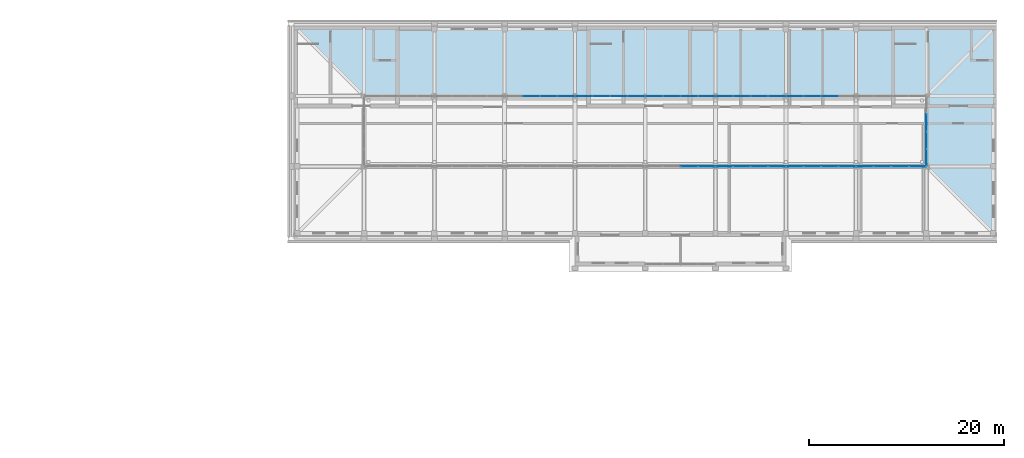
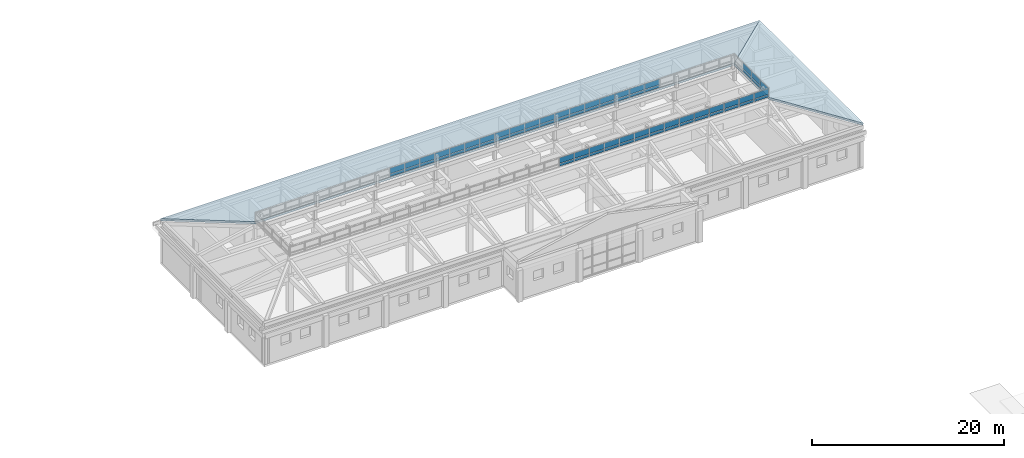
# One storey, part 28 of 48: 70 plates, 2 slabs, 3 elements without a shape of their own.
"""IFC4 building model written with IfcOpenShell, lengths in metres."""

from ifc_helpers import new_model, si_unit, direction, frame, origin, origin_2d, place, context, subcontext, project, spatial, polyline, rectangle, outline, extrude, material, layer, layer_set, type_object, element, aggregate, save


model = new_model("IFC4")

# Units and contexts
model_context = context("Model", 3, precision=1e-05, world=origin(), true_north=direction((0.0, 1.0)))
body_context = subcontext(model_context, "Body", "Model", "MODEL_VIEW")
ifc_project = project(units=[si_unit("LENGTHUNIT", "METRE"), si_unit("AREAUNIT", "SQUARE_METRE"), si_unit("VOLUMEUNIT", "CUBIC_METRE"), si_unit("PLANEANGLEUNIT", "RADIAN"), si_unit("MASSUNIT", "GRAM", prefix="KILO")], contexts=[model_context])

# Site, building, storey
site_placement = place(None, origin())
site = spatial("IfcSite", under=ifc_project, at=site_placement, CompositionType="ELEMENT")
building_placement = place(site_placement, origin())
building = spatial("IfcBuilding", under=site, at=building_placement, Name="Alderwick Market Hall", CompositionType="ELEMENT")
storey_placement = place(building_placement, frame((0.0, 0.0, 14.39990234375)))
storey = spatial("IfcBuildingStorey", under=building, at=storey_placement, Name="L02", CompositionType="ELEMENT", Elevation=14.39990234375)

# Curtain wall, plates
ifc_material_1 = material(Name="F Curtain Wall 1800 module")
curtain_wall_type = type_object("IfcCurtainWallType", Name="F Curtain Wall 1800 module", PredefinedType="NOTDEFINED", material=ifc_material_1)
curtain_wall_1_placement = place(storey_placement, origin())
curtain_wall_1 = element("IfcCurtainWall", 1, at=curtain_wall_1_placement, inside=storey, type_object=curtain_wall_type, Name="F.lantern.L02.s", PredefinedType="NOTDEFINED")
ifc_material_2 = material(Name="Laminated glass 28 mm", Category="glass")
ifc_layer_1 = layer(ifc_material_2, 0.028076171875)
ifc_layer_set_1 = layer_set([ifc_layer_1], Name="Laminated glass 28 mm")
plate_type = type_object("IfcPlateType", Name="F Curtain Wall Glass Panel 28", PredefinedType="CURTAIN_PANEL", material=ifc_layer_set_1)
plate_1_placement = place(storey_placement, frame((198.89990234375, 136.800048828125, 7.01513671875), z_axis=(0.0, 0.0, 1.0), x_axis=(1.0, 0.0, 0.0)))
plate_1 = element("IfcPlate", 2, at=plate_1_placement, type_object=plate_type, Name="F-LCW panel 19.1", PredefinedType="CURTAIN_PANEL", context=body_context, shape_type="SweptSolid", body=[
    extrude(rectangle(XDim=1.739990234375, YDim=0.028076171875, at=origin_2d()), origin(), (0.0, 0.0, 1.0), 0.31005859375),
])
plate_2_placement = place(storey_placement, frame((198.89990234375, 136.800048828125, 7.385009765625), z_axis=(0.0, 0.0, 1.0), x_axis=(1.0, 0.0, 0.0)))
plate_2 = element("IfcPlate", 3, at=plate_2_placement, type_object=plate_type, Name="F-LCW panel 19.2", PredefinedType="CURTAIN_PANEL", context=body_context, shape_type="SweptSolid", body=[
    extrude(rectangle(XDim=1.739990234375, YDim=0.028076171875, at=origin_2d()), origin(), (0.0, 0.0, 1.0), 0.7099609375),
])
plate_3_placement = place(storey_placement, frame((200.699951171875, 136.800048828125, 7.01513671875), z_axis=(0.0, 0.0, 1.0), x_axis=(1.0, 0.0, 0.0)))
plate_3 = element("IfcPlate", 4, at=plate_3_placement, type_object=plate_type, Name="F-LCW panel 20.1", PredefinedType="CURTAIN_PANEL", context=body_context, shape_type="SweptSolid", body=[
    extrude(rectangle(XDim=1.739990234375, YDim=0.028076171875, at=origin_2d()), origin(), (0.0, 0.0, 1.0), 0.31005859375),
])
plate_4_placement = place(storey_placement, frame((200.699951171875, 136.800048828125, 7.385009765625), z_axis=(0.0, 0.0, 1.0), x_axis=(1.0, 0.0, 0.0)))
plate_4 = element("IfcPlate", 5, at=plate_4_placement, type_object=plate_type, Name="F-LCW panel 20.2", PredefinedType="CURTAIN_PANEL", context=body_context, shape_type="SweptSolid", body=[
    extrude(rectangle(XDim=1.739990234375, YDim=0.028076171875, at=origin_2d()), origin(), (0.0, 0.0, 1.0), 0.7099609375),
])
plate_5_placement = place(storey_placement, frame((202.5, 136.800048828125, 7.01513671875), z_axis=(0.0, 0.0, 1.0), x_axis=(1.0, 0.0, 0.0)))
plate_5 = element("IfcPlate", 6, at=plate_5_placement, type_object=plate_type, Name="F-LCW panel 21.1", PredefinedType="CURTAIN_PANEL", context=body_context, shape_type="SweptSolid", body=[
    extrude(rectangle(XDim=1.739990234375, YDim=0.028076171875, at=origin_2d()), origin(), (0.0, 0.0, 1.0), 0.31005859375),
])
plate_6_placement = place(storey_placement, frame((202.5, 136.800048828125, 7.385009765625), z_axis=(0.0, 0.0, 1.0), x_axis=(1.0, 0.0, 0.0)))
plate_6 = element("IfcPlate", 7, at=plate_6_placement, type_object=plate_type, Name="F-LCW panel 21.2", PredefinedType="CURTAIN_PANEL", context=body_context, shape_type="SweptSolid", body=[
    extrude(rectangle(XDim=1.739990234375, YDim=0.028076171875, at=origin_2d()), origin(), (0.0, 0.0, 1.0), 0.7099609375),
])
plate_7_placement = place(storey_placement, frame((204.300048828125, 136.800048828125, 7.01513671875), z_axis=(0.0, 0.0, 1.0), x_axis=(1.0, 0.0, 0.0)))
plate_7 = element("IfcPlate", 8, at=plate_7_placement, type_object=plate_type, Name="F-LCW panel 22.1", PredefinedType="CURTAIN_PANEL", context=body_context, shape_type="SweptSolid", body=[
    extrude(rectangle(XDim=1.739990234375, YDim=0.028076171875, at=origin_2d()), origin(), (0.0, 0.0, 1.0), 0.31005859375),
])
plate_8_placement = place(storey_placement, frame((204.300048828125, 136.800048828125, 7.385009765625), z_axis=(0.0, 0.0, 1.0), x_axis=(1.0, 0.0, 0.0)))
plate_8 = element("IfcPlate", 9, at=plate_8_placement, type_object=plate_type, Name="F-LCW panel 22.2", PredefinedType="CURTAIN_PANEL", context=body_context, shape_type="SweptSolid", body=[
    extrude(rectangle(XDim=1.739990234375, YDim=0.028076171875, at=origin_2d()), origin(), (0.0, 0.0, 1.0), 0.7099609375),
])
plate_9_placement = place(storey_placement, frame((206.10009765625, 136.800048828125, 7.01513671875), z_axis=(0.0, 0.0, 1.0), x_axis=(1.0, 0.0, 0.0)))
plate_9 = element("IfcPlate", 10, at=plate_9_placement, type_object=plate_type, Name="F-LCW panel 23.1", PredefinedType="CURTAIN_PANEL", context=body_context, shape_type="SweptSolid", body=[
    extrude(rectangle(XDim=1.739990234375, YDim=0.028076171875, at=origin_2d()), origin(), (0.0, 0.0, 1.0), 0.31005859375),
])
plate_10_placement = place(storey_placement, frame((206.10009765625, 136.800048828125, 7.385009765625), z_axis=(0.0, 0.0, 1.0), x_axis=(1.0, 0.0, 0.0)))
plate_10 = element("IfcPlate", 11, at=plate_10_placement, type_object=plate_type, Name="F-LCW panel 23.2", PredefinedType="CURTAIN_PANEL", context=body_context, shape_type="SweptSolid", body=[
    extrude(rectangle(XDim=1.739990234375, YDim=0.028076171875, at=origin_2d()), origin(), (0.0, 0.0, 1.0), 0.7099609375),
])
plate_11_placement = place(storey_placement, frame((207.89990234375, 136.800048828125, 7.01513671875), z_axis=(0.0, 0.0, 1.0), x_axis=(1.0, 0.0, 0.0)))
plate_11 = element("IfcPlate", 12, at=plate_11_placement, type_object=plate_type, Name="F-LCW panel 24.1", PredefinedType="CURTAIN_PANEL", context=body_context, shape_type="SweptSolid", body=[
    extrude(rectangle(XDim=1.739990234375, YDim=0.028076171875, at=origin_2d()), origin(), (0.0, 0.0, 1.0), 0.31005859375),
])
plate_12_placement = place(storey_placement, frame((207.89990234375, 136.800048828125, 7.385009765625), z_axis=(0.0, 0.0, 1.0), x_axis=(1.0, 0.0, 0.0)))
plate_12 = element("IfcPlate", 13, at=plate_12_placement, type_object=plate_type, Name="F-LCW panel 24.2", PredefinedType="CURTAIN_PANEL", context=body_context, shape_type="SweptSolid", body=[
    extrude(rectangle(XDim=1.739990234375, YDim=0.028076171875, at=origin_2d()), origin(), (0.0, 0.0, 1.0), 0.7099609375),
])
plate_13_placement = place(storey_placement, frame((209.699951171875, 136.800048828125, 7.01513671875), z_axis=(0.0, 0.0, 1.0), x_axis=(1.0, 0.0, 0.0)))
plate_13 = element("IfcPlate", 14, at=plate_13_placement, type_object=plate_type, Name="F-LCW panel 25.1", PredefinedType="CURTAIN_PANEL", context=body_context, shape_type="SweptSolid", body=[
    extrude(rectangle(XDim=1.739990234375, YDim=0.028076171875, at=origin_2d()), origin(), (0.0, 0.0, 1.0), 0.31005859375),
])
plate_14_placement = place(storey_placement, frame((209.699951171875, 136.800048828125, 7.385009765625), z_axis=(0.0, 0.0, 1.0), x_axis=(1.0, 0.0, 0.0)))
plate_14 = element("IfcPlate", 15, at=plate_14_placement, type_object=plate_type, Name="F-LCW panel 25.2", PredefinedType="CURTAIN_PANEL", context=body_context, shape_type="SweptSolid", body=[
    extrude(rectangle(XDim=1.739990234375, YDim=0.028076171875, at=origin_2d()), origin(), (0.0, 0.0, 1.0), 0.7099609375),
])
plate_15_placement = place(storey_placement, frame((211.5, 136.800048828125, 7.01513671875), z_axis=(0.0, 0.0, 1.0), x_axis=(1.0, 0.0, 0.0)))
plate_15 = element("IfcPlate", 16, at=plate_15_placement, type_object=plate_type, Name="F-LCW panel 26.1", PredefinedType="CURTAIN_PANEL", context=body_context, shape_type="SweptSolid", body=[
    extrude(rectangle(XDim=1.739990234375, YDim=0.028076171875, at=origin_2d()), origin(), (0.0, 0.0, 1.0), 0.31005859375),
])
plate_16_placement = place(storey_placement, frame((211.5, 136.800048828125, 7.385009765625), z_axis=(0.0, 0.0, 1.0), x_axis=(1.0, 0.0, 0.0)))
plate_16 = element("IfcPlate", 17, at=plate_16_placement, type_object=plate_type, Name="F-LCW panel 26.2", PredefinedType="CURTAIN_PANEL", context=body_context, shape_type="SweptSolid", body=[
    extrude(rectangle(XDim=1.739990234375, YDim=0.028076171875, at=origin_2d()), origin(), (0.0, 0.0, 1.0), 0.7099609375),
])
plate_17_placement = place(storey_placement, frame((213.300048828125, 136.800048828125, 7.01513671875), z_axis=(0.0, 0.0, 1.0), x_axis=(1.0, 0.0, 0.0)))
plate_17 = element("IfcPlate", 18, at=plate_17_placement, type_object=plate_type, Name="F-LCW panel 27.1", PredefinedType="CURTAIN_PANEL", context=body_context, shape_type="SweptSolid", body=[
    extrude(rectangle(XDim=1.739990234375, YDim=0.028076171875, at=origin_2d()), origin(), (0.0, 0.0, 1.0), 0.31005859375),
])
plate_18_placement = place(storey_placement, frame((213.300048828125, 136.800048828125, 7.385009765625), z_axis=(0.0, 0.0, 1.0), x_axis=(1.0, 0.0, 0.0)))
plate_18 = element("IfcPlate", 19, at=plate_18_placement, type_object=plate_type, Name="F-LCW panel 27.2", PredefinedType="CURTAIN_PANEL", context=body_context, shape_type="SweptSolid", body=[
    extrude(rectangle(XDim=1.739990234375, YDim=0.028076171875, at=origin_2d()), origin(), (0.0, 0.0, 1.0), 0.7099609375),
])
plate_19_placement = place(storey_placement, frame((215.10009765625, 136.800048828125, 7.01513671875), z_axis=(0.0, 0.0, 1.0), x_axis=(1.0, 0.0, 0.0)))
plate_19 = element("IfcPlate", 20, at=plate_19_placement, type_object=plate_type, Name="F-LCW panel 28.1", PredefinedType="CURTAIN_PANEL", context=body_context, shape_type="SweptSolid", body=[
    extrude(rectangle(XDim=1.739990234375, YDim=0.028076171875, at=origin_2d()), origin(), (0.0, 0.0, 1.0), 0.31005859375),
])
plate_20_placement = place(storey_placement, frame((215.10009765625, 136.800048828125, 7.385009765625), z_axis=(0.0, 0.0, 1.0), x_axis=(1.0, 0.0, 0.0)))
plate_20 = element("IfcPlate", 21, at=plate_20_placement, type_object=plate_type, Name="F-LCW panel 28.2", PredefinedType="CURTAIN_PANEL", context=body_context, shape_type="SweptSolid", body=[
    extrude(rectangle(XDim=1.739990234375, YDim=0.028076171875, at=origin_2d()), origin(), (0.0, 0.0, 1.0), 0.7099609375),
])
plate_21_placement = place(storey_placement, frame((216.89990234375, 136.800048828125, 7.01513671875), z_axis=(0.0, 0.0, 1.0), x_axis=(1.0, 0.0, 0.0)))
plate_21 = element("IfcPlate", 22, at=plate_21_placement, type_object=plate_type, Name="F-LCW panel 29.1", PredefinedType="CURTAIN_PANEL", context=body_context, shape_type="SweptSolid", body=[
    extrude(rectangle(XDim=1.739990234375, YDim=0.028076171875, at=origin_2d()), origin(), (0.0, 0.0, 1.0), 0.31005859375),
])
plate_22_placement = place(storey_placement, frame((216.89990234375, 136.800048828125, 7.385009765625), z_axis=(0.0, 0.0, 1.0), x_axis=(1.0, 0.0, 0.0)))
plate_22 = element("IfcPlate", 23, at=plate_22_placement, type_object=plate_type, Name="F-LCW panel 29.2", PredefinedType="CURTAIN_PANEL", context=body_context, shape_type="SweptSolid", body=[
    extrude(rectangle(XDim=1.739990234375, YDim=0.028076171875, at=origin_2d()), origin(), (0.0, 0.0, 1.0), 0.7099609375),
])
plate_23_placement = place(storey_placement, frame((218.699951171875, 136.800048828125, 7.01513671875), z_axis=(0.0, 0.0, 1.0), x_axis=(1.0, 0.0, 0.0)))
plate_23 = element("IfcPlate", 24, at=plate_23_placement, type_object=plate_type, Name="F-LCW panel 30.1", PredefinedType="CURTAIN_PANEL", context=body_context, shape_type="SweptSolid", body=[
    extrude(rectangle(XDim=1.739990234375, YDim=0.028076171875, at=origin_2d()), origin(), (0.0, 0.0, 1.0), 0.31005859375),
])
plate_24_placement = place(storey_placement, frame((218.699951171875, 136.800048828125, 7.385009765625), z_axis=(0.0, 0.0, 1.0), x_axis=(1.0, 0.0, 0.0)))
plate_24 = element("IfcPlate", 25, at=plate_24_placement, type_object=plate_type, Name="F-LCW panel 30.2", PredefinedType="CURTAIN_PANEL", context=body_context, shape_type="SweptSolid", body=[
    extrude(rectangle(XDim=1.739990234375, YDim=0.028076171875, at=origin_2d()), origin(), (0.0, 0.0, 1.0), 0.7099609375),
])
plate_25_placement = place(storey_placement, frame((220.5, 136.800048828125, 7.01513671875), z_axis=(0.0, 0.0, 1.0), x_axis=(1.0, 0.0, 0.0)))
plate_25 = element("IfcPlate", 26, at=plate_25_placement, type_object=plate_type, Name="F-LCW panel 31.1", PredefinedType="CURTAIN_PANEL", context=body_context, shape_type="SweptSolid", body=[
    extrude(rectangle(XDim=1.739990234375, YDim=0.028076171875, at=origin_2d()), origin(), (0.0, 0.0, 1.0), 0.31005859375),
])
plate_26_placement = place(storey_placement, frame((220.5, 136.800048828125, 7.385009765625), z_axis=(0.0, 0.0, 1.0), x_axis=(1.0, 0.0, 0.0)))
plate_26 = element("IfcPlate", 27, at=plate_26_placement, type_object=plate_type, Name="F-LCW panel 31.2", PredefinedType="CURTAIN_PANEL", context=body_context, shape_type="SweptSolid", body=[
    extrude(rectangle(XDim=1.739990234375, YDim=0.028076171875, at=origin_2d()), origin(), (0.0, 0.0, 1.0), 0.7099609375),
])
plate_27_placement = place(storey_placement, frame((222.284912109375, 136.800048828125, 7.01513671875), z_axis=(0.0, 0.0, 1.0), x_axis=(1.0, 0.0, 0.0)))
plate_27 = element("IfcPlate", 28, at=plate_27_placement, type_object=plate_type, Name="F-LCW panel 32.1", PredefinedType="CURTAIN_PANEL", context=body_context, shape_type="SweptSolid", body=[
    extrude(rectangle(XDim=1.7099609375, YDim=0.028076171875, at=origin_2d()), origin(), (0.0, 0.0, 1.0), 0.31005859375),
])
plate_28_placement = place(storey_placement, frame((222.284912109375, 136.800048828125, 7.385009765625), z_axis=(0.0, 0.0, 1.0), x_axis=(1.0, 0.0, 0.0)))
plate_28 = element("IfcPlate", 29, at=plate_28_placement, type_object=plate_type, Name="F-LCW panel 32.2", PredefinedType="CURTAIN_PANEL", context=body_context, shape_type="SweptSolid", body=[
    extrude(rectangle(XDim=1.7099609375, YDim=0.028076171875, at=origin_2d()), origin(), (0.0, 0.0, 1.0), 0.7099609375),
])
aggregate(curtain_wall_1, [plate_1, plate_2, plate_3, plate_4, plate_5, plate_6, plate_7, plate_8, plate_9, plate_10, plate_11, plate_12, plate_13, plate_14, plate_15, plate_16, plate_17, plate_18, plate_19, plate_20, plate_21, plate_22, plate_23, plate_24, plate_25, plate_26, plate_27, plate_28])

curtain_wall_2_placement = place(storey_placement, origin())
curtain_wall_2 = element("IfcCurtainWall", 30, at=curtain_wall_2_placement, inside=storey, type_object=curtain_wall_type, Name="F.lantern.L02.n", PredefinedType="NOTDEFINED")
plate_29_placement = place(storey_placement, frame((182.699951171875, 144.0, 7.01513671875), z_axis=(0.0, 0.0, 1.0), x_axis=(1.0, 0.0, 0.0)))
plate_29 = element("IfcPlate", 31, at=plate_29_placement, type_object=plate_type, Name="F-LCW panel 10.1", PredefinedType="CURTAIN_PANEL", context=body_context, shape_type="SweptSolid", body=[
    extrude(rectangle(XDim=1.739990234375, YDim=0.028076171875, at=origin_2d()), origin(), (0.0, 0.0, 1.0), 0.31005859375),
])
plate_30_placement = place(storey_placement, frame((182.699951171875, 144.0, 7.385009765625), z_axis=(0.0, 0.0, 1.0), x_axis=(1.0, 0.0, 0.0)))
plate_30 = element("IfcPlate", 32, at=plate_30_placement, type_object=plate_type, Name="F-LCW panel 10.2", PredefinedType="CURTAIN_PANEL", context=body_context, shape_type="SweptSolid", body=[
    extrude(rectangle(XDim=1.739990234375, YDim=0.028076171875, at=origin_2d()), origin(), (0.0, 0.0, 1.0), 0.7099609375),
])
plate_31_placement = place(storey_placement, frame((184.5, 144.0, 7.01513671875), z_axis=(0.0, 0.0, 1.0), x_axis=(1.0, 0.0, 0.0)))
plate_31 = element("IfcPlate", 33, at=plate_31_placement, type_object=plate_type, Name="F-LCW panel 11.1", PredefinedType="CURTAIN_PANEL", context=body_context, shape_type="SweptSolid", body=[
    extrude(rectangle(XDim=1.739990234375, YDim=0.028076171875, at=origin_2d()), origin(), (0.0, 0.0, 1.0), 0.31005859375),
])
plate_32_placement = place(storey_placement, frame((184.5, 144.0, 7.385009765625), z_axis=(0.0, 0.0, 1.0), x_axis=(1.0, 0.0, 0.0)))
plate_32 = element("IfcPlate", 34, at=plate_32_placement, type_object=plate_type, Name="F-LCW panel 11.2", PredefinedType="CURTAIN_PANEL", context=body_context, shape_type="SweptSolid", body=[
    extrude(rectangle(XDim=1.739990234375, YDim=0.028076171875, at=origin_2d()), origin(), (0.0, 0.0, 1.0), 0.7099609375),
])
plate_33_placement = place(storey_placement, frame((186.300048828125, 144.0, 7.01513671875), z_axis=(0.0, 0.0, 1.0), x_axis=(1.0, 0.0, 0.0)))
plate_33 = element("IfcPlate", 35, at=plate_33_placement, type_object=plate_type, Name="F-LCW panel 12.1", PredefinedType="CURTAIN_PANEL", context=body_context, shape_type="SweptSolid", body=[
    extrude(rectangle(XDim=1.739990234375, YDim=0.028076171875, at=origin_2d()), origin(), (0.0, 0.0, 1.0), 0.31005859375),
])
plate_34_placement = place(storey_placement, frame((186.300048828125, 144.0, 7.385009765625), z_axis=(0.0, 0.0, 1.0), x_axis=(1.0, 0.0, 0.0)))
plate_34 = element("IfcPlate", 36, at=plate_34_placement, type_object=plate_type, Name="F-LCW panel 12.2", PredefinedType="CURTAIN_PANEL", context=body_context, shape_type="SweptSolid", body=[
    extrude(rectangle(XDim=1.739990234375, YDim=0.028076171875, at=origin_2d()), origin(), (0.0, 0.0, 1.0), 0.7099609375),
])
plate_35_placement = place(storey_placement, frame((188.10009765625, 144.0, 7.01513671875), z_axis=(0.0, 0.0, 1.0), x_axis=(1.0, 0.0, 0.0)))
plate_35 = element("IfcPlate", 37, at=plate_35_placement, type_object=plate_type, Name="F-LCW panel 13.1", PredefinedType="CURTAIN_PANEL", context=body_context, shape_type="SweptSolid", body=[
    extrude(rectangle(XDim=1.739990234375, YDim=0.028076171875, at=origin_2d()), origin(), (0.0, 0.0, 1.0), 0.31005859375),
])
plate_36_placement = place(storey_placement, frame((188.10009765625, 144.0, 7.385009765625), z_axis=(0.0, 0.0, 1.0), x_axis=(1.0, 0.0, 0.0)))
plate_36 = element("IfcPlate", 38, at=plate_36_placement, type_object=plate_type, Name="F-LCW panel 13.2", PredefinedType="CURTAIN_PANEL", context=body_context, shape_type="SweptSolid", body=[
    extrude(rectangle(XDim=1.739990234375, YDim=0.028076171875, at=origin_2d()), origin(), (0.0, 0.0, 1.0), 0.7099609375),
])
plate_37_placement = place(storey_placement, frame((189.89990234375, 144.0, 7.01513671875), z_axis=(0.0, 0.0, 1.0), x_axis=(1.0, 0.0, 0.0)))
plate_37 = element("IfcPlate", 39, at=plate_37_placement, type_object=plate_type, Name="F-LCW panel 14.1", PredefinedType="CURTAIN_PANEL", context=body_context, shape_type="SweptSolid", body=[
    extrude(rectangle(XDim=1.739990234375, YDim=0.028076171875, at=origin_2d()), origin(), (0.0, 0.0, 1.0), 0.31005859375),
])
plate_38_placement = place(storey_placement, frame((189.89990234375, 144.0, 7.385009765625), z_axis=(0.0, 0.0, 1.0), x_axis=(1.0, 0.0, 0.0)))
plate_38 = element("IfcPlate", 40, at=plate_38_placement, type_object=plate_type, Name="F-LCW panel 14.2", PredefinedType="CURTAIN_PANEL", context=body_context, shape_type="SweptSolid", body=[
    extrude(rectangle(XDim=1.739990234375, YDim=0.028076171875, at=origin_2d()), origin(), (0.0, 0.0, 1.0), 0.7099609375),
])
plate_39_placement = place(storey_placement, frame((191.699951171875, 144.0, 7.01513671875), z_axis=(0.0, 0.0, 1.0), x_axis=(1.0, 0.0, 0.0)))
plate_39 = element("IfcPlate", 41, at=plate_39_placement, type_object=plate_type, Name="F-LCW panel 15.1", PredefinedType="CURTAIN_PANEL", context=body_context, shape_type="SweptSolid", body=[
    extrude(rectangle(XDim=1.739990234375, YDim=0.028076171875, at=origin_2d()), origin(), (0.0, 0.0, 1.0), 0.31005859375),
])
plate_40_placement = place(storey_placement, frame((191.699951171875, 144.0, 7.385009765625), z_axis=(0.0, 0.0, 1.0), x_axis=(1.0, 0.0, 0.0)))
plate_40 = element("IfcPlate", 42, at=plate_40_placement, type_object=plate_type, Name="F-LCW panel 15.2", PredefinedType="CURTAIN_PANEL", context=body_context, shape_type="SweptSolid", body=[
    extrude(rectangle(XDim=1.739990234375, YDim=0.028076171875, at=origin_2d()), origin(), (0.0, 0.0, 1.0), 0.7099609375),
])
plate_41_placement = place(storey_placement, frame((193.5, 144.0, 7.01513671875), z_axis=(0.0, 0.0, 1.0), x_axis=(1.0, 0.0, 0.0)))
plate_41 = element("IfcPlate", 43, at=plate_41_placement, type_object=plate_type, Name="F-LCW panel 16.1", PredefinedType="CURTAIN_PANEL", context=body_context, shape_type="SweptSolid", body=[
    extrude(rectangle(XDim=1.739990234375, YDim=0.028076171875, at=origin_2d()), origin(), (0.0, 0.0, 1.0), 0.31005859375),
])
plate_42_placement = place(storey_placement, frame((193.5, 144.0, 7.385009765625), z_axis=(0.0, 0.0, 1.0), x_axis=(1.0, 0.0, 0.0)))
plate_42 = element("IfcPlate", 44, at=plate_42_placement, type_object=plate_type, Name="F-LCW panel 16.2", PredefinedType="CURTAIN_PANEL", context=body_context, shape_type="SweptSolid", body=[
    extrude(rectangle(XDim=1.739990234375, YDim=0.028076171875, at=origin_2d()), origin(), (0.0, 0.0, 1.0), 0.7099609375),
])
plate_43_placement = place(storey_placement, frame((195.300048828125, 144.0, 7.01513671875), z_axis=(0.0, 0.0, 1.0), x_axis=(1.0, 0.0, 0.0)))
plate_43 = element("IfcPlate", 45, at=plate_43_placement, type_object=plate_type, Name="F-LCW panel 17.1", PredefinedType="CURTAIN_PANEL", context=body_context, shape_type="SweptSolid", body=[
    extrude(rectangle(XDim=1.739990234375, YDim=0.028076171875, at=origin_2d()), origin(), (0.0, 0.0, 1.0), 0.31005859375),
])
plate_44_placement = place(storey_placement, frame((195.300048828125, 144.0, 7.385009765625), z_axis=(0.0, 0.0, 1.0), x_axis=(1.0, 0.0, 0.0)))
plate_44 = element("IfcPlate", 46, at=plate_44_placement, type_object=plate_type, Name="F-LCW panel 17.2", PredefinedType="CURTAIN_PANEL", context=body_context, shape_type="SweptSolid", body=[
    extrude(rectangle(XDim=1.739990234375, YDim=0.028076171875, at=origin_2d()), origin(), (0.0, 0.0, 1.0), 0.7099609375),
])
plate_45_placement = place(storey_placement, frame((197.10009765625, 144.0, 7.01513671875), z_axis=(0.0, 0.0, 1.0), x_axis=(1.0, 0.0, 0.0)))
plate_45 = element("IfcPlate", 47, at=plate_45_placement, type_object=plate_type, Name="F-LCW panel 18.1", PredefinedType="CURTAIN_PANEL", context=body_context, shape_type="SweptSolid", body=[
    extrude(rectangle(XDim=1.739990234375, YDim=0.028076171875, at=origin_2d()), origin(), (0.0, 0.0, 1.0), 0.31005859375),
])
plate_46_placement = place(storey_placement, frame((197.10009765625, 144.0, 7.385009765625), z_axis=(0.0, 0.0, 1.0), x_axis=(1.0, 0.0, 0.0)))
plate_46 = element("IfcPlate", 48, at=plate_46_placement, type_object=plate_type, Name="F-LCW panel 18.2", PredefinedType="CURTAIN_PANEL", context=body_context, shape_type="SweptSolid", body=[
    extrude(rectangle(XDim=1.739990234375, YDim=0.028076171875, at=origin_2d()), origin(), (0.0, 0.0, 1.0), 0.7099609375),
])
plate_47_placement = place(storey_placement, frame((198.89990234375, 144.0, 7.01513671875), z_axis=(0.0, 0.0, 1.0), x_axis=(1.0, 0.0, 0.0)))
plate_47 = element("IfcPlate", 49, at=plate_47_placement, type_object=plate_type, Name="F-LCW panel 19.1", PredefinedType="CURTAIN_PANEL", context=body_context, shape_type="SweptSolid", body=[
    extrude(rectangle(XDim=1.739990234375, YDim=0.028076171875, at=origin_2d()), origin(), (0.0, 0.0, 1.0), 0.31005859375),
])
plate_48_placement = place(storey_placement, frame((198.89990234375, 144.0, 7.385009765625), z_axis=(0.0, 0.0, 1.0), x_axis=(1.0, 0.0, 0.0)))
plate_48 = element("IfcPlate", 50, at=plate_48_placement, type_object=plate_type, Name="F-LCW panel 19.2", PredefinedType="CURTAIN_PANEL", context=body_context, shape_type="SweptSolid", body=[
    extrude(rectangle(XDim=1.739990234375, YDim=0.028076171875, at=origin_2d()), origin(), (0.0, 0.0, 1.0), 0.7099609375),
])
plate_49_placement = place(storey_placement, frame((200.699951171875, 144.0, 7.01513671875), z_axis=(0.0, 0.0, 1.0), x_axis=(1.0, 0.0, 0.0)))
plate_49 = element("IfcPlate", 51, at=plate_49_placement, type_object=plate_type, Name="F-LCW panel 20.1", PredefinedType="CURTAIN_PANEL", context=body_context, shape_type="SweptSolid", body=[
    extrude(rectangle(XDim=1.739990234375, YDim=0.028076171875, at=origin_2d()), origin(), (0.0, 0.0, 1.0), 0.31005859375),
])
plate_50_placement = place(storey_placement, frame((200.699951171875, 144.0, 7.385009765625), z_axis=(0.0, 0.0, 1.0), x_axis=(1.0, 0.0, 0.0)))
plate_50 = element("IfcPlate", 52, at=plate_50_placement, type_object=plate_type, Name="F-LCW panel 20.2", PredefinedType="CURTAIN_PANEL", context=body_context, shape_type="SweptSolid", body=[
    extrude(rectangle(XDim=1.739990234375, YDim=0.028076171875, at=origin_2d()), origin(), (0.0, 0.0, 1.0), 0.7099609375),
])
plate_51_placement = place(storey_placement, frame((202.5, 144.0, 7.01513671875), z_axis=(0.0, 0.0, 1.0), x_axis=(1.0, 0.0, 0.0)))
plate_51 = element("IfcPlate", 53, at=plate_51_placement, type_object=plate_type, Name="F-LCW panel 21.1", PredefinedType="CURTAIN_PANEL", context=body_context, shape_type="SweptSolid", body=[
    extrude(rectangle(XDim=1.739990234375, YDim=0.028076171875, at=origin_2d()), origin(), (0.0, 0.0, 1.0), 0.31005859375),
])
plate_52_placement = place(storey_placement, frame((202.5, 144.0, 7.385009765625), z_axis=(0.0, 0.0, 1.0), x_axis=(1.0, 0.0, 0.0)))
plate_52 = element("IfcPlate", 54, at=plate_52_placement, type_object=plate_type, Name="F-LCW panel 21.2", PredefinedType="CURTAIN_PANEL", context=body_context, shape_type="SweptSolid", body=[
    extrude(rectangle(XDim=1.739990234375, YDim=0.028076171875, at=origin_2d()), origin(), (0.0, 0.0, 1.0), 0.7099609375),
])
plate_53_placement = place(storey_placement, frame((204.300048828125, 144.0, 7.01513671875), z_axis=(0.0, 0.0, 1.0), x_axis=(1.0, 0.0, 0.0)))
plate_53 = element("IfcPlate", 55, at=plate_53_placement, type_object=plate_type, Name="F-LCW panel 22.1", PredefinedType="CURTAIN_PANEL", context=body_context, shape_type="SweptSolid", body=[
    extrude(rectangle(XDim=1.739990234375, YDim=0.028076171875, at=origin_2d()), origin(), (0.0, 0.0, 1.0), 0.31005859375),
])
plate_54_placement = place(storey_placement, frame((204.300048828125, 144.0, 7.385009765625), z_axis=(0.0, 0.0, 1.0), x_axis=(1.0, 0.0, 0.0)))
plate_54 = element("IfcPlate", 56, at=plate_54_placement, type_object=plate_type, Name="F-LCW panel 22.2", PredefinedType="CURTAIN_PANEL", context=body_context, shape_type="SweptSolid", body=[
    extrude(rectangle(XDim=1.739990234375, YDim=0.028076171875, at=origin_2d()), origin(), (0.0, 0.0, 1.0), 0.7099609375),
])
plate_55_placement = place(storey_placement, frame((206.10009765625, 144.0, 7.01513671875), z_axis=(0.0, 0.0, 1.0), x_axis=(1.0, 0.0, 0.0)))
plate_55 = element("IfcPlate", 57, at=plate_55_placement, type_object=plate_type, Name="F-LCW panel 23.1", PredefinedType="CURTAIN_PANEL", context=body_context, shape_type="SweptSolid", body=[
    extrude(rectangle(XDim=1.739990234375, YDim=0.028076171875, at=origin_2d()), origin(), (0.0, 0.0, 1.0), 0.31005859375),
])
plate_56_placement = place(storey_placement, frame((206.10009765625, 144.0, 7.385009765625), z_axis=(0.0, 0.0, 1.0), x_axis=(1.0, 0.0, 0.0)))
plate_56 = element("IfcPlate", 58, at=plate_56_placement, type_object=plate_type, Name="F-LCW panel 23.2", PredefinedType="CURTAIN_PANEL", context=body_context, shape_type="SweptSolid", body=[
    extrude(rectangle(XDim=1.739990234375, YDim=0.028076171875, at=origin_2d()), origin(), (0.0, 0.0, 1.0), 0.7099609375),
])
plate_57_placement = place(storey_placement, frame((207.89990234375, 144.0, 7.01513671875), z_axis=(0.0, 0.0, 1.0), x_axis=(1.0, 0.0, 0.0)))
plate_57 = element("IfcPlate", 59, at=plate_57_placement, type_object=plate_type, Name="F-LCW panel 24.1", PredefinedType="CURTAIN_PANEL", context=body_context, shape_type="SweptSolid", body=[
    extrude(rectangle(XDim=1.739990234375, YDim=0.028076171875, at=origin_2d()), origin(), (0.0, 0.0, 1.0), 0.31005859375),
])
plate_58_placement = place(storey_placement, frame((207.89990234375, 144.0, 7.385009765625), z_axis=(0.0, 0.0, 1.0), x_axis=(1.0, 0.0, 0.0)))
plate_58 = element("IfcPlate", 60, at=plate_58_placement, type_object=plate_type, Name="F-LCW panel 24.2", PredefinedType="CURTAIN_PANEL", context=body_context, shape_type="SweptSolid", body=[
    extrude(rectangle(XDim=1.739990234375, YDim=0.028076171875, at=origin_2d()), origin(), (0.0, 0.0, 1.0), 0.7099609375),
])
plate_59_placement = place(storey_placement, frame((209.699951171875, 144.0, 7.01513671875), z_axis=(0.0, 0.0, 1.0), x_axis=(1.0, 0.0, 0.0)))
plate_59 = element("IfcPlate", 61, at=plate_59_placement, type_object=plate_type, Name="F-LCW panel 25.1", PredefinedType="CURTAIN_PANEL", context=body_context, shape_type="SweptSolid", body=[
    extrude(rectangle(XDim=1.739990234375, YDim=0.028076171875, at=origin_2d()), origin(), (0.0, 0.0, 1.0), 0.31005859375),
])
plate_60_placement = place(storey_placement, frame((209.699951171875, 144.0, 7.385009765625), z_axis=(0.0, 0.0, 1.0), x_axis=(1.0, 0.0, 0.0)))
plate_60 = element("IfcPlate", 62, at=plate_60_placement, type_object=plate_type, Name="F-LCW panel 25.2", PredefinedType="CURTAIN_PANEL", context=body_context, shape_type="SweptSolid", body=[
    extrude(rectangle(XDim=1.739990234375, YDim=0.028076171875, at=origin_2d()), origin(), (0.0, 0.0, 1.0), 0.7099609375),
])
plate_61_placement = place(storey_placement, frame((211.5, 144.0, 7.01513671875), z_axis=(0.0, 0.0, 1.0), x_axis=(1.0, 0.0, 0.0)))
plate_61 = element("IfcPlate", 63, at=plate_61_placement, type_object=plate_type, Name="F-LCW panel 26.1", PredefinedType="CURTAIN_PANEL", context=body_context, shape_type="SweptSolid", body=[
    extrude(rectangle(XDim=1.739990234375, YDim=0.028076171875, at=origin_2d()), origin(), (0.0, 0.0, 1.0), 0.31005859375),
])
plate_62_placement = place(storey_placement, frame((211.5, 144.0, 7.385009765625), z_axis=(0.0, 0.0, 1.0), x_axis=(1.0, 0.0, 0.0)))
plate_62 = element("IfcPlate", 64, at=plate_62_placement, type_object=plate_type, Name="F-LCW panel 26.2", PredefinedType="CURTAIN_PANEL", context=body_context, shape_type="SweptSolid", body=[
    extrude(rectangle(XDim=1.739990234375, YDim=0.028076171875, at=origin_2d()), origin(), (0.0, 0.0, 1.0), 0.7099609375),
])
plate_63_placement = place(storey_placement, frame((213.300048828125, 144.0, 7.01513671875), z_axis=(0.0, 0.0, 1.0), x_axis=(1.0, 0.0, 0.0)))
plate_63 = element("IfcPlate", 65, at=plate_63_placement, type_object=plate_type, Name="F-LCW panel 27.1", PredefinedType="CURTAIN_PANEL", context=body_context, shape_type="SweptSolid", body=[
    extrude(rectangle(XDim=1.739990234375, YDim=0.028076171875, at=origin_2d()), origin(), (0.0, 0.0, 1.0), 0.31005859375),
])
plate_64_placement = place(storey_placement, frame((213.300048828125, 144.0, 7.385009765625), z_axis=(0.0, 0.0, 1.0), x_axis=(1.0, 0.0, 0.0)))
plate_64 = element("IfcPlate", 66, at=plate_64_placement, type_object=plate_type, Name="F-LCW panel 27.2", PredefinedType="CURTAIN_PANEL", context=body_context, shape_type="SweptSolid", body=[
    extrude(rectangle(XDim=1.739990234375, YDim=0.028076171875, at=origin_2d()), origin(), (0.0, 0.0, 1.0), 0.7099609375),
])
aggregate(curtain_wall_2, [plate_29, plate_30, plate_31, plate_32, plate_33, plate_34, plate_35, plate_36, plate_37, plate_38, plate_39, plate_40, plate_41, plate_42, plate_43, plate_44, plate_45, plate_46, plate_47, plate_48, plate_49, plate_50, plate_51, plate_52, plate_53, plate_54, plate_55, plate_56, plate_57, plate_58, plate_59, plate_60, plate_61, plate_62, plate_63, plate_64])

curtain_wall_3_placement = place(storey_placement, origin())
curtain_wall_3 = element("IfcCurtainWall", 67, at=curtain_wall_3_placement, inside=storey, type_object=curtain_wall_type, Name="F.lantern.L02.e", PredefinedType="NOTDEFINED")
plate_65_placement = place(storey_placement, frame((223.199951171875, 137.715087890625, 7.01513671875), z_axis=(0.0, 0.0, 1.0), x_axis=(0.0, 1.0, 0.0)))
plate_65 = element("IfcPlate", 68, at=plate_65_placement, type_object=plate_type, Name="F-LCW panel 1.1", PredefinedType="CURTAIN_PANEL", context=body_context, shape_type="SweptSolid", body=[
    extrude(rectangle(XDim=1.7099609375, YDim=0.028076171875, at=origin_2d()), origin(), (0.0, 0.0, 1.0), 0.31005859375),
])
plate_66_placement = place(storey_placement, frame((223.199951171875, 137.715087890625, 7.385009765625), z_axis=(0.0, 0.0, 1.0), x_axis=(0.0, 1.0, 0.0)))
plate_66 = element("IfcPlate", 69, at=plate_66_placement, type_object=plate_type, Name="F-LCW panel 1.2", PredefinedType="CURTAIN_PANEL", context=body_context, shape_type="SweptSolid", body=[
    extrude(rectangle(XDim=1.7099609375, YDim=0.028076171875, at=origin_2d()), origin(), (0.0, 0.0, 1.0), 0.7099609375),
])
plate_67_placement = place(storey_placement, frame((223.199951171875, 139.5, 7.01513671875), z_axis=(0.0, 0.0, 1.0), x_axis=(0.0, 1.0, 0.0)))
plate_67 = element("IfcPlate", 70, at=plate_67_placement, type_object=plate_type, Name="F-LCW panel 2.1", PredefinedType="CURTAIN_PANEL", context=body_context, shape_type="SweptSolid", body=[
    extrude(rectangle(XDim=1.739990234375, YDim=0.028076171875, at=origin_2d()), origin(), (0.0, 0.0, 1.0), 0.31005859375),
])
plate_68_placement = place(storey_placement, frame((223.199951171875, 139.5, 7.385009765625), z_axis=(0.0, 0.0, 1.0), x_axis=(0.0, 1.0, 0.0)))
plate_68 = element("IfcPlate", 71, at=plate_68_placement, type_object=plate_type, Name="F-LCW panel 2.2", PredefinedType="CURTAIN_PANEL", context=body_context, shape_type="SweptSolid", body=[
    extrude(rectangle(XDim=1.739990234375, YDim=0.028076171875, at=origin_2d()), origin(), (0.0, 0.0, 1.0), 0.7099609375),
])
plate_69_placement = place(storey_placement, frame((223.199951171875, 141.300048828125, 7.01513671875), z_axis=(0.0, 0.0, 1.0), x_axis=(0.0, 1.0, 0.0)))
plate_69 = element("IfcPlate", 72, at=plate_69_placement, type_object=plate_type, Name="F-LCW panel 3.1", PredefinedType="CURTAIN_PANEL", context=body_context, shape_type="SweptSolid", body=[
    extrude(rectangle(XDim=1.739990234375, YDim=0.028076171875, at=origin_2d()), origin(), (0.0, 0.0, 1.0), 0.31005859375),
])
plate_70_placement = place(storey_placement, frame((223.199951171875, 141.300048828125, 7.385009765625), z_axis=(0.0, 0.0, 1.0), x_axis=(0.0, 1.0, 0.0)))
plate_70 = element("IfcPlate", 73, at=plate_70_placement, type_object=plate_type, Name="F-LCW panel 3.2", PredefinedType="CURTAIN_PANEL", context=body_context, shape_type="SweptSolid", body=[
    extrude(rectangle(XDim=1.739990234375, YDim=0.028076171875, at=origin_2d()), origin(), (0.0, 0.0, 1.0), 0.7099609375),
])
aggregate(curtain_wall_3, [plate_65, plate_66, plate_67, plate_68, plate_69, plate_70])

# Slabs
ifc_material_3 = material(Name="Concrete 5000 psi (f'c 35 MPa)", Category="concrete")
ifc_layer_2 = layer(ifc_material_3, 0.25)
ifc_layer_set_2 = layer_set([ifc_layer_2], Name="Concrete 5000 psi (f'c 35 MPa)")
slab_type = type_object("IfcSlabType", Name="F Mansard Roof Slab Concrete 5000 psi 250", PredefinedType="ROOF", material=ifc_layer_set_2)
slab_1_placement = place(storey_placement, frame((158.39990234375, 151.199951171875, 5.505126953125), z_axis=(0.0, 0.197420043229, 0.980318992232), x_axis=(1.0, 0.0, 0.0)))
element("IfcSlab", 74, at=slab_1_placement, inside=storey, type_object=slab_type, Name="F.roofslab.L02.north", PredefinedType="ROOF", context=body_context, shape_type="SweptSolid", body=[
    extrude(outline(polyline([(0.0, 0.0), (72.0, 0.0), (64.800048828125, -7.344498299966164), (7.2001953125, -7.344498299966164), (0.0, 0.0)])), origin(), (0.0, 0.0, -1.0), 0.25),
])
slab_2_placement = place(storey_placement, frame((230.39990234375, 129.60009765625, 5.505126953125), z_axis=(0.197420043229, 0.0, 0.980318992232), x_axis=(0.0, 1.0, 0.0)))
element("IfcSlab", 75, at=slab_2_placement, inside=storey, type_object=slab_type, Name="F.roofslab.L02.east", PredefinedType="ROOF", context=body_context, shape_type="SweptSolid", body=[
    extrude(outline(polyline([(0.0, 0.0), (21.599853515625, 0.0), (14.39990234375, 7.3444982999661645), (7.199951171875, 7.3444982999661645), (0.0, 0.0)])), origin(), (0.0, 0.0, -1.0), 0.25),
])

save(model, "model.ifc")
